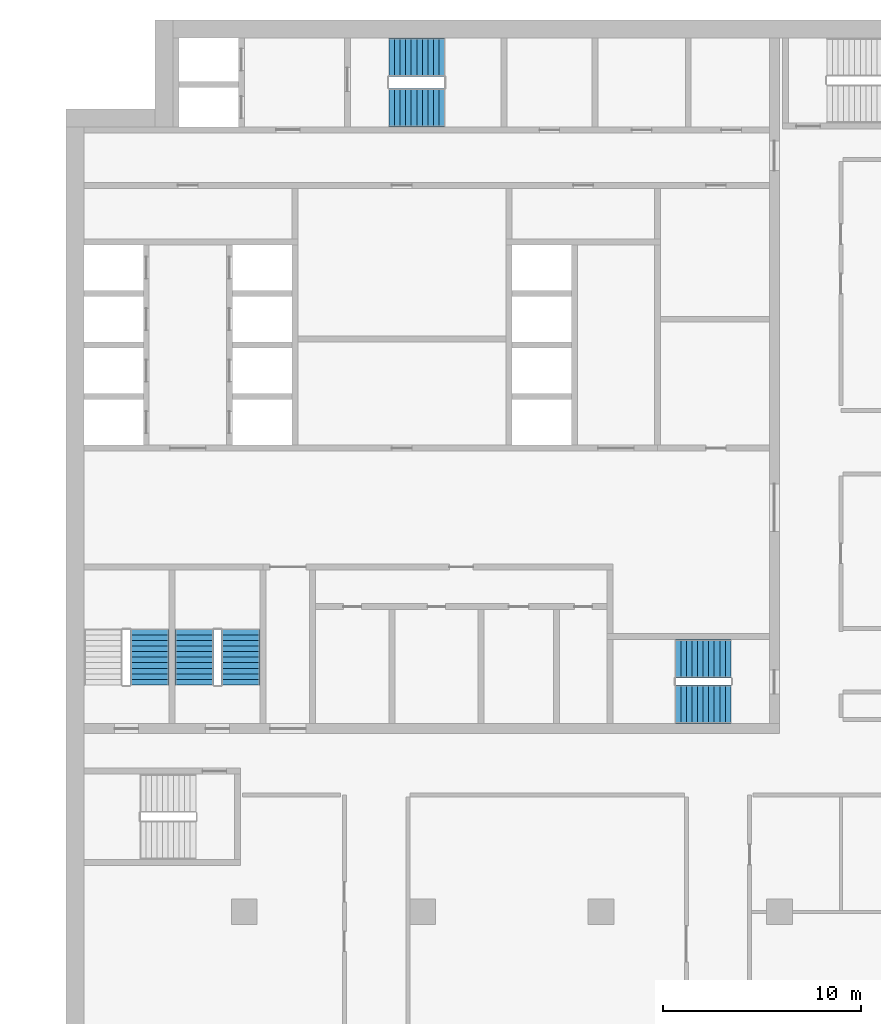
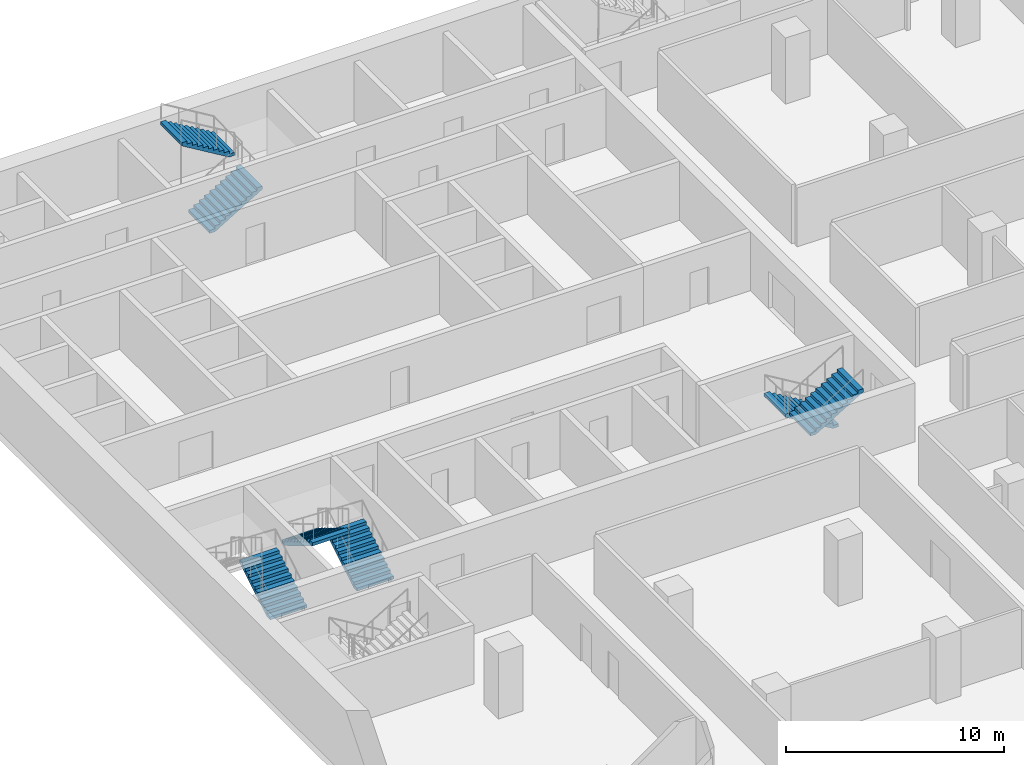
# One storey, part 17 of 23: 7 stair flights, 4 elements without a shape of their own.
"""IFC4 building model written with IfcOpenShell, lengths in metres."""

from ifc_helpers import new_model, si_unit, direction, frame, origin, place, context, subcontext, project, spatial, polyline, outline, extrude, material, type_object, element, aggregate, save


model = new_model("IFC4")

# Units and contexts
model_context = context("Model", 3, precision=1e-05, world=origin(), true_north=direction((0.0, 1.0)))
body_context = subcontext(model_context, "Body", "Model", "MODEL_VIEW")
ifc_project = project(units=[si_unit("LENGTHUNIT", "METRE"), si_unit("AREAUNIT", "SQUARE_METRE"), si_unit("VOLUMEUNIT", "CUBIC_METRE"), si_unit("PLANEANGLEUNIT", "RADIAN"), si_unit("MASSUNIT", "GRAM", prefix="KILO")], contexts=[model_context])

# Site, building, storey
site_placement = place(None, origin())
site = spatial("IfcSite", under=ifc_project, at=site_placement, CompositionType="ELEMENT")
building_placement = place(site_placement, origin())
building = spatial("IfcBuilding", under=site, at=building_placement, Name="Hunhe Ridgeline Campus", CompositionType="ELEMENT")
storey_placement = place(building_placement, frame((0.0, 0.0, 110.699951171875)))
storey = spatial("IfcBuildingStorey", under=building, at=storey_placement, Name="L27", CompositionType="ELEMENT", Elevation=110.699951171875)

# Stair, stair flights
ifc_material = material(Name="Concrete C40", Category="concrete")
stair_type = type_object("IfcStairType", Name="Reinforced concrete dog-leg stair 1950 Concrete C40", PredefinedType="HALF_TURN_STAIR", material=ifc_material)
stair_1_placement = place(storey_placement, origin())
stair_1 = element("IfcStair", 1, at=stair_1_placement, inside=storey, type_object=stair_type, Name="L27 S1", PredefinedType="HALF_TURN_STAIR")
stair_flight_type = type_object("IfcStairFlightType", Name="Reinforced concrete stair flight 1950 Concrete C40", PredefinedType="STRAIGHT", material=ifc_material)
stair_flight_1_placement = place(storey_placement, frame((16.300048828125, 94.574951171875, 0.0), z_axis=(0.0, 0.0, 1.0), x_axis=(1.0, 0.0, 0.0)))
stair_flight_1 = element("IfcStairFlight", 2, at=stair_flight_1_placement, type_object=stair_flight_type, Name="ST1 flight 1", NumberOfRisers=11, NumberOfTreads=10, PredefinedType="STRAIGHT", RiserHeight=0.168181818, TreadLength=0.28, context=body_context, shape_type="SweptSolid", body=[
    extrude(outline(polyline([(0.0, 0.0), (0.0, 0.168212890625), (0.280029296875, 0.168212890625), (0.280029296875, 0.33642578125), (0.56005859375, 0.33642578125), (0.56005859375, 0.504638671875), (0.840087890625, 0.504638671875), (0.840087890625, 0.672607421875), (1.1201171875, 0.672607421875), (1.1201171875, 0.8408203125), (1.39990234375, 0.8408203125), (1.39990234375, 1.009033203125), (1.679931640625, 1.009033203125), (1.679931640625, 1.17724609375), (1.9599609375, 1.17724609375), (1.9599609375, 1.345458984375), (2.239990234375, 1.345458984375), (2.239990234375, 1.513671875), (2.52001953125, 1.513671875), (2.52001953125, 1.681884765625), (2.800048828125, 1.681884765625), (2.800048828125, 1.85009765625), (2.800048828125, 1.5068359375), (0.291015625, 0.0), (0.0, 0.0)])), frame((0.0, 0.97509765625, 0.0), z_axis=(0.0, -1.0, 0.0), x_axis=(1.0, 0.0, 0.0)), (0.0, 0.0, 1.0), 1.949951171875),
    extrude(outline(polyline([(0.030029296875, 0.030029296875), (0.030029296875, 0.13818359375), (0.31005859375, 0.13818359375), (0.31005859375, 0.306396484375), (0.590087890625, 0.306396484375), (0.590087890625, 0.474609375), (0.8701171875, 0.474609375), (0.8701171875, 0.642578125), (1.14990234375, 0.642578125), (1.14990234375, 0.810791015625), (1.429931640625, 0.810791015625), (1.429931640625, 0.97900390625), (1.7099609375, 0.97900390625), (1.7099609375, 1.147216796875), (1.989990234375, 1.147216796875), (1.989990234375, 1.3154296875), (2.27001953125, 1.3154296875), (2.27001953125, 1.483642578125), (2.550048828125, 1.483642578125), (2.550048828125, 1.65185546875), (2.77001953125, 1.65185546875), (2.77001953125, 1.52392578125), (0.28271484375, 0.030029296875), (0.030029296875, 0.030029296875)])), frame((0.0, -0.070068359375, 0.0), z_axis=(0.0, -1.0, 0.0), x_axis=(1.0, 0.0, 0.0)), (0.0, 0.0, 1.0), 0.019775390625),
    extrude(outline(polyline([(0.030029296875, 0.030029296875), (0.030029296875, 0.13818359375), (0.31005859375, 0.13818359375), (0.31005859375, 0.306396484375), (0.590087890625, 0.306396484375), (0.590087890625, 0.474609375), (0.8701171875, 0.474609375), (0.8701171875, 0.642578125), (1.14990234375, 0.642578125), (1.14990234375, 0.810791015625), (1.429931640625, 0.810791015625), (1.429931640625, 0.97900390625), (1.7099609375, 0.97900390625), (1.7099609375, 1.147216796875), (1.989990234375, 1.147216796875), (1.989990234375, 1.3154296875), (2.27001953125, 1.3154296875), (2.27001953125, 1.483642578125), (2.550048828125, 1.483642578125), (2.550048828125, 1.65185546875), (2.77001953125, 1.65185546875), (2.77001953125, 1.52392578125), (0.28271484375, 0.030029296875), (0.030029296875, 0.030029296875)])), frame((0.0, 0.010009765625, 0.0), z_axis=(0.0, -1.0, 0.0), x_axis=(1.0, 0.0, 0.0)), (0.0, 0.0, 1.0), 0.019775390625),
    extrude(outline(polyline([(0.030029296875, 0.030029296875), (0.030029296875, 0.13818359375), (0.31005859375, 0.13818359375), (0.31005859375, 0.306396484375), (0.590087890625, 0.306396484375), (0.590087890625, 0.474609375), (0.8701171875, 0.474609375), (0.8701171875, 0.642578125), (1.14990234375, 0.642578125), (1.14990234375, 0.810791015625), (1.429931640625, 0.810791015625), (1.429931640625, 0.97900390625), (1.7099609375, 0.97900390625), (1.7099609375, 1.147216796875), (1.989990234375, 1.147216796875), (1.989990234375, 1.3154296875), (2.27001953125, 1.3154296875), (2.27001953125, 1.483642578125), (2.550048828125, 1.483642578125), (2.550048828125, 1.65185546875), (2.77001953125, 1.65185546875), (2.77001953125, 1.52392578125), (0.28271484375, 0.030029296875), (0.030029296875, 0.030029296875)])), frame((0.0, 0.090087890625, 0.0), z_axis=(0.0, -1.0, 0.0), x_axis=(1.0, 0.0, 0.0)), (0.0, 0.0, 1.0), 0.019775390625),
])
stair_flight_2_placement = place(storey_placement, frame((19.10009765625, 97.125, 1.85009765625), z_axis=(0.0, 0.0, 1.0), x_axis=(-1.0, 0.0, 0.0)))
stair_flight_2 = element("IfcStairFlight", 3, at=stair_flight_2_placement, type_object=stair_flight_type, Name="ST1 flight 2", NumberOfRisers=11, NumberOfTreads=10, PredefinedType="STRAIGHT", RiserHeight=0.168181818, TreadLength=0.28, context=body_context, shape_type="SweptSolid", body=[
    extrude(outline(polyline([(0.0, 0.0), (0.0, 0.168212890625), (0.280029296875, 0.168212890625), (0.280029296875, 0.33642578125), (0.56005859375, 0.33642578125), (0.56005859375, 0.504638671875), (0.840087890625, 0.504638671875), (0.840087890625, 0.672607421875), (1.1201171875, 0.672607421875), (1.1201171875, 0.8408203125), (1.39990234375, 0.8408203125), (1.39990234375, 1.009033203125), (1.679931640625, 1.009033203125), (1.679931640625, 1.17724609375), (1.9599609375, 1.17724609375), (1.9599609375, 1.345458984375), (2.239990234375, 1.345458984375), (2.239990234375, 1.513671875), (2.52001953125, 1.513671875), (2.52001953125, 1.681884765625), (2.800048828125, 1.681884765625), (2.800048828125, 1.85009765625), (2.800048828125, 1.5068359375), (0.291015625, 0.0), (0.0, 0.0)])), frame((0.0, 0.97509765625, 0.0), z_axis=(0.0, -1.0, 0.0), x_axis=(1.0, 0.0, 0.0)), (0.0, 0.0, 1.0), 1.949951171875),
    extrude(outline(polyline([(0.030029296875, 0.030029296875), (0.030029296875, 0.13818359375), (0.31005859375, 0.13818359375), (0.31005859375, 0.306396484375), (0.590087890625, 0.306396484375), (0.590087890625, 0.474609375), (0.8701171875, 0.474609375), (0.8701171875, 0.642578125), (1.14990234375, 0.642578125), (1.14990234375, 0.810791015625), (1.429931640625, 0.810791015625), (1.429931640625, 0.97900390625), (1.7099609375, 0.97900390625), (1.7099609375, 1.147216796875), (1.989990234375, 1.147216796875), (1.989990234375, 1.3154296875), (2.27001953125, 1.3154296875), (2.27001953125, 1.483642578125), (2.550048828125, 1.483642578125), (2.550048828125, 1.65185546875), (2.77001953125, 1.65185546875), (2.77001953125, 1.52392578125), (0.28271484375, 0.030029296875), (0.030029296875, 0.030029296875)])), frame((0.0, -0.070068359375, 0.0), z_axis=(0.0, -1.0, 0.0), x_axis=(1.0, 0.0, 0.0)), (0.0, 0.0, 1.0), 0.019775390625),
    extrude(outline(polyline([(0.030029296875, 0.030029296875), (0.030029296875, 0.13818359375), (0.31005859375, 0.13818359375), (0.31005859375, 0.306396484375), (0.590087890625, 0.306396484375), (0.590087890625, 0.474609375), (0.8701171875, 0.474609375), (0.8701171875, 0.642578125), (1.14990234375, 0.642578125), (1.14990234375, 0.810791015625), (1.429931640625, 0.810791015625), (1.429931640625, 0.97900390625), (1.7099609375, 0.97900390625), (1.7099609375, 1.147216796875), (1.989990234375, 1.147216796875), (1.989990234375, 1.3154296875), (2.27001953125, 1.3154296875), (2.27001953125, 1.483642578125), (2.550048828125, 1.483642578125), (2.550048828125, 1.65185546875), (2.77001953125, 1.65185546875), (2.77001953125, 1.52392578125), (0.28271484375, 0.030029296875), (0.030029296875, 0.030029296875)])), frame((0.0, 0.010009765625, 0.0), z_axis=(0.0, -1.0, 0.0), x_axis=(1.0, 0.0, 0.0)), (0.0, 0.0, 1.0), 0.019775390625),
    extrude(outline(polyline([(0.030029296875, 0.030029296875), (0.030029296875, 0.13818359375), (0.31005859375, 0.13818359375), (0.31005859375, 0.306396484375), (0.590087890625, 0.306396484375), (0.590087890625, 0.474609375), (0.8701171875, 0.474609375), (0.8701171875, 0.642578125), (1.14990234375, 0.642578125), (1.14990234375, 0.810791015625), (1.429931640625, 0.810791015625), (1.429931640625, 0.97900390625), (1.7099609375, 0.97900390625), (1.7099609375, 1.147216796875), (1.989990234375, 1.147216796875), (1.989990234375, 1.3154296875), (2.27001953125, 1.3154296875), (2.27001953125, 1.483642578125), (2.550048828125, 1.483642578125), (2.550048828125, 1.65185546875), (2.77001953125, 1.65185546875), (2.77001953125, 1.52392578125), (0.28271484375, 0.030029296875), (0.030029296875, 0.030029296875)])), frame((0.0, 0.090087890625, 0.0), z_axis=(0.0, -1.0, 0.0), x_axis=(1.0, 0.0, 0.0)), (0.0, 0.0, 1.0), 0.019775390625),
])
aggregate(stair_1, [stair_flight_1, stair_flight_2])

stair_2_placement = place(storey_placement, origin())
stair_2 = element("IfcStair", 4, at=stair_2_placement, inside=storey, type_object=stair_type, Name="L27 S2", PredefinedType="HALF_TURN_STAIR")
stair_flight_3_placement = place(storey_placement, frame((33.550048828125, 66.77490234375, 0.0), z_axis=(0.0, 0.0, 1.0), x_axis=(-1.0, 0.0, 0.0)))
stair_flight_3 = element("IfcStairFlight", 5, at=stair_flight_3_placement, type_object=stair_flight_type, Name="ST2 flight 1", NumberOfRisers=11, NumberOfTreads=10, PredefinedType="STRAIGHT", RiserHeight=0.168181818, TreadLength=0.28, context=body_context, shape_type="SweptSolid", body=[
    extrude(outline(polyline([(0.0, 0.0), (0.0, 0.168212890625), (0.280029296875, 0.168212890625), (0.280029296875, 0.33642578125), (0.56005859375, 0.33642578125), (0.56005859375, 0.504638671875), (0.840087890625, 0.504638671875), (0.840087890625, 0.672607421875), (1.1201171875, 0.672607421875), (1.1201171875, 0.8408203125), (1.39990234375, 0.8408203125), (1.39990234375, 1.009033203125), (1.679931640625, 1.009033203125), (1.679931640625, 1.17724609375), (1.9599609375, 1.17724609375), (1.9599609375, 1.345458984375), (2.239990234375, 1.345458984375), (2.239990234375, 1.513671875), (2.52001953125, 1.513671875), (2.52001953125, 1.681884765625), (2.800048828125, 1.681884765625), (2.800048828125, 1.85009765625), (2.800048828125, 1.5068359375), (0.291015625, 0.0), (0.0, 0.0)])), frame((0.0, 0.97509765625, 0.0), z_axis=(0.0, -1.0, 0.0), x_axis=(1.0, 0.0, 0.0)), (0.0, 0.0, 1.0), 1.949951171875),
    extrude(outline(polyline([(0.030029296875, 0.030029296875), (0.030029296875, 0.13818359375), (0.31005859375, 0.13818359375), (0.31005859375, 0.306396484375), (0.590087890625, 0.306396484375), (0.590087890625, 0.474609375), (0.8701171875, 0.474609375), (0.8701171875, 0.642578125), (1.14990234375, 0.642578125), (1.14990234375, 0.810791015625), (1.429931640625, 0.810791015625), (1.429931640625, 0.97900390625), (1.7099609375, 0.97900390625), (1.7099609375, 1.147216796875), (1.989990234375, 1.147216796875), (1.989990234375, 1.3154296875), (2.27001953125, 1.3154296875), (2.27001953125, 1.483642578125), (2.550048828125, 1.483642578125), (2.550048828125, 1.65185546875), (2.77001953125, 1.65185546875), (2.77001953125, 1.52392578125), (0.28271484375, 0.030029296875), (0.030029296875, 0.030029296875)])), frame((0.0, -0.070068359375, 0.0), z_axis=(0.0, -1.0, 0.0), x_axis=(1.0, 0.0, 0.0)), (0.0, 0.0, 1.0), 0.019775390625),
    extrude(outline(polyline([(0.030029296875, 0.030029296875), (0.030029296875, 0.13818359375), (0.31005859375, 0.13818359375), (0.31005859375, 0.306396484375), (0.590087890625, 0.306396484375), (0.590087890625, 0.474609375), (0.8701171875, 0.474609375), (0.8701171875, 0.642578125), (1.14990234375, 0.642578125), (1.14990234375, 0.810791015625), (1.429931640625, 0.810791015625), (1.429931640625, 0.97900390625), (1.7099609375, 0.97900390625), (1.7099609375, 1.147216796875), (1.989990234375, 1.147216796875), (1.989990234375, 1.3154296875), (2.27001953125, 1.3154296875), (2.27001953125, 1.483642578125), (2.550048828125, 1.483642578125), (2.550048828125, 1.65185546875), (2.77001953125, 1.65185546875), (2.77001953125, 1.52392578125), (0.28271484375, 0.030029296875), (0.030029296875, 0.030029296875)])), frame((0.0, 0.010009765625, 0.0), z_axis=(0.0, -1.0, 0.0), x_axis=(1.0, 0.0, 0.0)), (0.0, 0.0, 1.0), 0.019775390625),
    extrude(outline(polyline([(0.030029296875, 0.030029296875), (0.030029296875, 0.13818359375), (0.31005859375, 0.13818359375), (0.31005859375, 0.306396484375), (0.590087890625, 0.306396484375), (0.590087890625, 0.474609375), (0.8701171875, 0.474609375), (0.8701171875, 0.642578125), (1.14990234375, 0.642578125), (1.14990234375, 0.810791015625), (1.429931640625, 0.810791015625), (1.429931640625, 0.97900390625), (1.7099609375, 0.97900390625), (1.7099609375, 1.147216796875), (1.989990234375, 1.147216796875), (1.989990234375, 1.3154296875), (2.27001953125, 1.3154296875), (2.27001953125, 1.483642578125), (2.550048828125, 1.483642578125), (2.550048828125, 1.65185546875), (2.77001953125, 1.65185546875), (2.77001953125, 1.52392578125), (0.28271484375, 0.030029296875), (0.030029296875, 0.030029296875)])), frame((0.0, 0.090087890625, 0.0), z_axis=(0.0, -1.0, 0.0), x_axis=(1.0, 0.0, 0.0)), (0.0, 0.0, 1.0), 0.019775390625),
])
stair_flight_4_placement = place(storey_placement, frame((30.75, 64.47509765625, 1.85009765625), z_axis=(0.0, 0.0, 1.0), x_axis=(1.0, 0.0, 0.0)))
stair_flight_4 = element("IfcStairFlight", 6, at=stair_flight_4_placement, type_object=stair_flight_type, Name="ST2 flight 2", NumberOfRisers=11, NumberOfTreads=10, PredefinedType="STRAIGHT", RiserHeight=0.168181818, TreadLength=0.28, context=body_context, shape_type="SweptSolid", body=[
    extrude(outline(polyline([(0.0, 0.0), (0.0, 0.168212890625), (0.280029296875, 0.168212890625), (0.280029296875, 0.33642578125), (0.56005859375, 0.33642578125), (0.56005859375, 0.504638671875), (0.840087890625, 0.504638671875), (0.840087890625, 0.672607421875), (1.1201171875, 0.672607421875), (1.1201171875, 0.8408203125), (1.39990234375, 0.8408203125), (1.39990234375, 1.009033203125), (1.679931640625, 1.009033203125), (1.679931640625, 1.17724609375), (1.9599609375, 1.17724609375), (1.9599609375, 1.345458984375), (2.239990234375, 1.345458984375), (2.239990234375, 1.513671875), (2.52001953125, 1.513671875), (2.52001953125, 1.681884765625), (2.800048828125, 1.681884765625), (2.800048828125, 1.85009765625), (2.800048828125, 1.5068359375), (0.291015625, 0.0), (0.0, 0.0)])), frame((0.0, 0.97509765625, 0.0), z_axis=(0.0, -1.0, 0.0), x_axis=(1.0, 0.0, 0.0)), (0.0, 0.0, 1.0), 1.949951171875),
    extrude(outline(polyline([(0.030029296875, 0.030029296875), (0.030029296875, 0.13818359375), (0.31005859375, 0.13818359375), (0.31005859375, 0.306396484375), (0.590087890625, 0.306396484375), (0.590087890625, 0.474609375), (0.8701171875, 0.474609375), (0.8701171875, 0.642578125), (1.14990234375, 0.642578125), (1.14990234375, 0.810791015625), (1.429931640625, 0.810791015625), (1.429931640625, 0.97900390625), (1.7099609375, 0.97900390625), (1.7099609375, 1.147216796875), (1.989990234375, 1.147216796875), (1.989990234375, 1.3154296875), (2.27001953125, 1.3154296875), (2.27001953125, 1.483642578125), (2.550048828125, 1.483642578125), (2.550048828125, 1.65185546875), (2.77001953125, 1.65185546875), (2.77001953125, 1.52392578125), (0.28271484375, 0.030029296875), (0.030029296875, 0.030029296875)])), frame((0.0, -0.070068359375, 0.0), z_axis=(0.0, -1.0, 0.0), x_axis=(1.0, 0.0, 0.0)), (0.0, 0.0, 1.0), 0.019775390625),
    extrude(outline(polyline([(0.030029296875, 0.030029296875), (0.030029296875, 0.13818359375), (0.31005859375, 0.13818359375), (0.31005859375, 0.306396484375), (0.590087890625, 0.306396484375), (0.590087890625, 0.474609375), (0.8701171875, 0.474609375), (0.8701171875, 0.642578125), (1.14990234375, 0.642578125), (1.14990234375, 0.810791015625), (1.429931640625, 0.810791015625), (1.429931640625, 0.97900390625), (1.7099609375, 0.97900390625), (1.7099609375, 1.147216796875), (1.989990234375, 1.147216796875), (1.989990234375, 1.3154296875), (2.27001953125, 1.3154296875), (2.27001953125, 1.483642578125), (2.550048828125, 1.483642578125), (2.550048828125, 1.65185546875), (2.77001953125, 1.65185546875), (2.77001953125, 1.52392578125), (0.28271484375, 0.030029296875), (0.030029296875, 0.030029296875)])), frame((0.0, 0.010009765625, 0.0), z_axis=(0.0, -1.0, 0.0), x_axis=(1.0, 0.0, 0.0)), (0.0, 0.0, 1.0), 0.019775390625),
    extrude(outline(polyline([(0.030029296875, 0.030029296875), (0.030029296875, 0.13818359375), (0.31005859375, 0.13818359375), (0.31005859375, 0.306396484375), (0.590087890625, 0.306396484375), (0.590087890625, 0.474609375), (0.8701171875, 0.474609375), (0.8701171875, 0.642578125), (1.14990234375, 0.642578125), (1.14990234375, 0.810791015625), (1.429931640625, 0.810791015625), (1.429931640625, 0.97900390625), (1.7099609375, 0.97900390625), (1.7099609375, 1.147216796875), (1.989990234375, 1.147216796875), (1.989990234375, 1.3154296875), (2.27001953125, 1.3154296875), (2.27001953125, 1.483642578125), (2.550048828125, 1.483642578125), (2.550048828125, 1.65185546875), (2.77001953125, 1.65185546875), (2.77001953125, 1.52392578125), (0.28271484375, 0.030029296875), (0.030029296875, 0.030029296875)])), frame((0.0, 0.090087890625, 0.0), z_axis=(0.0, -1.0, 0.0), x_axis=(1.0, 0.0, 0.0)), (0.0, 0.0, 1.0), 0.019775390625),
])
aggregate(stair_2, [stair_flight_3, stair_flight_4])

# Stair, stair flight
stair_3_placement = place(storey_placement, origin())
stair_3 = element("IfcStair", 7, at=stair_3_placement, inside=storey, type_object=stair_type, Name="L27 S3", PredefinedType="HALF_TURN_STAIR")
stair_flight_5_placement = place(storey_placement, frame((4.22509765625, 65.449951171875, 0.0), z_axis=(0.0, 0.0, 1.0), x_axis=(0.0, 1.0, 0.0)))
stair_flight_5 = element("IfcStairFlight", 8, at=stair_flight_5_placement, type_object=stair_flight_type, Name="ST3 flight 1", NumberOfRisers=11, NumberOfTreads=10, PredefinedType="STRAIGHT", RiserHeight=0.168181818, TreadLength=0.28, context=body_context, shape_type="SweptSolid", body=[
    extrude(outline(polyline([(0.0, 0.0), (0.0, 0.168212890625), (0.280029296875, 0.168212890625), (0.280029296875, 0.33642578125), (0.56005859375, 0.33642578125), (0.56005859375, 0.504638671875), (0.840087890625, 0.504638671875), (0.840087890625, 0.672607421875), (1.1201171875, 0.672607421875), (1.1201171875, 0.8408203125), (1.39990234375, 0.8408203125), (1.39990234375, 1.009033203125), (1.679931640625, 1.009033203125), (1.679931640625, 1.17724609375), (1.9599609375, 1.17724609375), (1.9599609375, 1.345458984375), (2.239990234375, 1.345458984375), (2.239990234375, 1.513671875), (2.52001953125, 1.513671875), (2.52001953125, 1.681884765625), (2.800048828125, 1.681884765625), (2.800048828125, 1.85009765625), (2.800048828125, 1.5068359375), (0.291015625, 0.0), (0.0, 0.0)])), frame((0.0, 0.97509765625, 0.0), z_axis=(0.0, -1.0, 0.0), x_axis=(1.0, 0.0, 0.0)), (0.0, 0.0, 1.0), 1.949951171875),
    extrude(outline(polyline([(0.030029296875, 0.030029296875), (0.030029296875, 0.13818359375), (0.31005859375, 0.13818359375), (0.31005859375, 0.306396484375), (0.590087890625, 0.306396484375), (0.590087890625, 0.474609375), (0.8701171875, 0.474609375), (0.8701171875, 0.642578125), (1.14990234375, 0.642578125), (1.14990234375, 0.810791015625), (1.429931640625, 0.810791015625), (1.429931640625, 0.97900390625), (1.7099609375, 0.97900390625), (1.7099609375, 1.147216796875), (1.989990234375, 1.147216796875), (1.989990234375, 1.3154296875), (2.27001953125, 1.3154296875), (2.27001953125, 1.483642578125), (2.550048828125, 1.483642578125), (2.550048828125, 1.65185546875), (2.77001953125, 1.65185546875), (2.77001953125, 1.52392578125), (0.28271484375, 0.030029296875), (0.030029296875, 0.030029296875)])), frame((0.0, -0.070068359375, 0.0), z_axis=(0.0, -1.0, 0.0), x_axis=(1.0, 0.0, 0.0)), (0.0, 0.0, 1.0), 0.019775390625),
    extrude(outline(polyline([(0.030029296875, 0.030029296875), (0.030029296875, 0.13818359375), (0.31005859375, 0.13818359375), (0.31005859375, 0.306396484375), (0.590087890625, 0.306396484375), (0.590087890625, 0.474609375), (0.8701171875, 0.474609375), (0.8701171875, 0.642578125), (1.14990234375, 0.642578125), (1.14990234375, 0.810791015625), (1.429931640625, 0.810791015625), (1.429931640625, 0.97900390625), (1.7099609375, 0.97900390625), (1.7099609375, 1.147216796875), (1.989990234375, 1.147216796875), (1.989990234375, 1.3154296875), (2.27001953125, 1.3154296875), (2.27001953125, 1.483642578125), (2.550048828125, 1.483642578125), (2.550048828125, 1.65185546875), (2.77001953125, 1.65185546875), (2.77001953125, 1.52392578125), (0.28271484375, 0.030029296875), (0.030029296875, 0.030029296875)])), frame((0.0, 0.010009765625, 0.0), z_axis=(0.0, -1.0, 0.0), x_axis=(1.0, 0.0, 0.0)), (0.0, 0.0, 1.0), 0.019775390625),
    extrude(outline(polyline([(0.030029296875, 0.030029296875), (0.030029296875, 0.13818359375), (0.31005859375, 0.13818359375), (0.31005859375, 0.306396484375), (0.590087890625, 0.306396484375), (0.590087890625, 0.474609375), (0.8701171875, 0.474609375), (0.8701171875, 0.642578125), (1.14990234375, 0.642578125), (1.14990234375, 0.810791015625), (1.429931640625, 0.810791015625), (1.429931640625, 0.97900390625), (1.7099609375, 0.97900390625), (1.7099609375, 1.147216796875), (1.989990234375, 1.147216796875), (1.989990234375, 1.3154296875), (2.27001953125, 1.3154296875), (2.27001953125, 1.483642578125), (2.550048828125, 1.483642578125), (2.550048828125, 1.65185546875), (2.77001953125, 1.65185546875), (2.77001953125, 1.52392578125), (0.28271484375, 0.030029296875), (0.030029296875, 0.030029296875)])), frame((0.0, 0.090087890625, 0.0), z_axis=(0.0, -1.0, 0.0), x_axis=(1.0, 0.0, 0.0)), (0.0, 0.0, 1.0), 0.019775390625),
])
aggregate(stair_3, [stair_flight_5])

# Stair, stair flights
stair_4_placement = place(storey_placement, origin())
stair_4 = element("IfcStair", 9, at=stair_4_placement, inside=storey, type_object=stair_type, Name="L27 S4", PredefinedType="HALF_TURN_STAIR")
stair_flight_6_placement = place(storey_placement, frame((8.824951171875, 65.449951171875, 0.0), z_axis=(0.0, 0.0, 1.0), x_axis=(0.0, 1.0, 0.0)))
stair_flight_6 = element("IfcStairFlight", 10, at=stair_flight_6_placement, type_object=stair_flight_type, Name="ST4 flight 1", NumberOfRisers=11, NumberOfTreads=10, PredefinedType="STRAIGHT", RiserHeight=0.168181818, TreadLength=0.28, context=body_context, shape_type="SweptSolid", body=[
    extrude(outline(polyline([(0.0, 0.0), (0.0, 0.168212890625), (0.280029296875, 0.168212890625), (0.280029296875, 0.33642578125), (0.56005859375, 0.33642578125), (0.56005859375, 0.504638671875), (0.840087890625, 0.504638671875), (0.840087890625, 0.672607421875), (1.1201171875, 0.672607421875), (1.1201171875, 0.8408203125), (1.39990234375, 0.8408203125), (1.39990234375, 1.009033203125), (1.679931640625, 1.009033203125), (1.679931640625, 1.17724609375), (1.9599609375, 1.17724609375), (1.9599609375, 1.345458984375), (2.239990234375, 1.345458984375), (2.239990234375, 1.513671875), (2.52001953125, 1.513671875), (2.52001953125, 1.681884765625), (2.800048828125, 1.681884765625), (2.800048828125, 1.85009765625), (2.800048828125, 1.5068359375), (0.291015625, 0.0), (0.0, 0.0)])), frame((0.0, 0.97509765625, 0.0), z_axis=(0.0, -1.0, 0.0), x_axis=(1.0, 0.0, 0.0)), (0.0, 0.0, 1.0), 1.949951171875),
    extrude(outline(polyline([(0.030029296875, 0.030029296875), (0.030029296875, 0.13818359375), (0.31005859375, 0.13818359375), (0.31005859375, 0.306396484375), (0.590087890625, 0.306396484375), (0.590087890625, 0.474609375), (0.8701171875, 0.474609375), (0.8701171875, 0.642578125), (1.14990234375, 0.642578125), (1.14990234375, 0.810791015625), (1.429931640625, 0.810791015625), (1.429931640625, 0.97900390625), (1.7099609375, 0.97900390625), (1.7099609375, 1.147216796875), (1.989990234375, 1.147216796875), (1.989990234375, 1.3154296875), (2.27001953125, 1.3154296875), (2.27001953125, 1.483642578125), (2.550048828125, 1.483642578125), (2.550048828125, 1.65185546875), (2.77001953125, 1.65185546875), (2.77001953125, 1.52392578125), (0.28271484375, 0.030029296875), (0.030029296875, 0.030029296875)])), frame((0.0, -0.070068359375, 0.0), z_axis=(0.0, -1.0, 0.0), x_axis=(1.0, 0.0, 0.0)), (0.0, 0.0, 1.0), 0.019775390625),
    extrude(outline(polyline([(0.030029296875, 0.030029296875), (0.030029296875, 0.13818359375), (0.31005859375, 0.13818359375), (0.31005859375, 0.306396484375), (0.590087890625, 0.306396484375), (0.590087890625, 0.474609375), (0.8701171875, 0.474609375), (0.8701171875, 0.642578125), (1.14990234375, 0.642578125), (1.14990234375, 0.810791015625), (1.429931640625, 0.810791015625), (1.429931640625, 0.97900390625), (1.7099609375, 0.97900390625), (1.7099609375, 1.147216796875), (1.989990234375, 1.147216796875), (1.989990234375, 1.3154296875), (2.27001953125, 1.3154296875), (2.27001953125, 1.483642578125), (2.550048828125, 1.483642578125), (2.550048828125, 1.65185546875), (2.77001953125, 1.65185546875), (2.77001953125, 1.52392578125), (0.28271484375, 0.030029296875), (0.030029296875, 0.030029296875)])), frame((0.0, 0.010009765625, 0.0), z_axis=(0.0, -1.0, 0.0), x_axis=(1.0, 0.0, 0.0)), (0.0, 0.0, 1.0), 0.019775390625),
    extrude(outline(polyline([(0.030029296875, 0.030029296875), (0.030029296875, 0.13818359375), (0.31005859375, 0.13818359375), (0.31005859375, 0.306396484375), (0.590087890625, 0.306396484375), (0.590087890625, 0.474609375), (0.8701171875, 0.474609375), (0.8701171875, 0.642578125), (1.14990234375, 0.642578125), (1.14990234375, 0.810791015625), (1.429931640625, 0.810791015625), (1.429931640625, 0.97900390625), (1.7099609375, 0.97900390625), (1.7099609375, 1.147216796875), (1.989990234375, 1.147216796875), (1.989990234375, 1.3154296875), (2.27001953125, 1.3154296875), (2.27001953125, 1.483642578125), (2.550048828125, 1.483642578125), (2.550048828125, 1.65185546875), (2.77001953125, 1.65185546875), (2.77001953125, 1.52392578125), (0.28271484375, 0.030029296875), (0.030029296875, 0.030029296875)])), frame((0.0, 0.090087890625, 0.0), z_axis=(0.0, -1.0, 0.0), x_axis=(1.0, 0.0, 0.0)), (0.0, 0.0, 1.0), 0.019775390625),
])
stair_flight_7_placement = place(storey_placement, frame((6.47509765625, 68.25, 1.85009765625), z_axis=(0.0, 0.0, 1.0), x_axis=(0.0, -1.0, 0.0)))
stair_flight_7 = element("IfcStairFlight", 11, at=stair_flight_7_placement, type_object=stair_flight_type, Name="ST4 flight 2", NumberOfRisers=11, NumberOfTreads=10, PredefinedType="STRAIGHT", RiserHeight=0.168181818, TreadLength=0.28, context=body_context, shape_type="SweptSolid", body=[
    extrude(outline(polyline([(0.0, 0.0), (0.0, 0.168212890625), (0.280029296875, 0.168212890625), (0.280029296875, 0.33642578125), (0.56005859375, 0.33642578125), (0.56005859375, 0.504638671875), (0.840087890625, 0.504638671875), (0.840087890625, 0.672607421875), (1.1201171875, 0.672607421875), (1.1201171875, 0.8408203125), (1.39990234375, 0.8408203125), (1.39990234375, 1.009033203125), (1.679931640625, 1.009033203125), (1.679931640625, 1.17724609375), (1.9599609375, 1.17724609375), (1.9599609375, 1.345458984375), (2.239990234375, 1.345458984375), (2.239990234375, 1.513671875), (2.52001953125, 1.513671875), (2.52001953125, 1.681884765625), (2.800048828125, 1.681884765625), (2.800048828125, 1.85009765625), (2.800048828125, 1.5068359375), (0.291015625, 0.0), (0.0, 0.0)])), frame((0.0, 0.97509765625, 0.0), z_axis=(0.0, -1.0, 0.0), x_axis=(1.0, 0.0, 0.0)), (0.0, 0.0, 1.0), 1.949951171875),
    extrude(outline(polyline([(0.030029296875, 0.030029296875), (0.030029296875, 0.13818359375), (0.31005859375, 0.13818359375), (0.31005859375, 0.306396484375), (0.590087890625, 0.306396484375), (0.590087890625, 0.474609375), (0.8701171875, 0.474609375), (0.8701171875, 0.642578125), (1.14990234375, 0.642578125), (1.14990234375, 0.810791015625), (1.429931640625, 0.810791015625), (1.429931640625, 0.97900390625), (1.7099609375, 0.97900390625), (1.7099609375, 1.147216796875), (1.989990234375, 1.147216796875), (1.989990234375, 1.3154296875), (2.27001953125, 1.3154296875), (2.27001953125, 1.483642578125), (2.550048828125, 1.483642578125), (2.550048828125, 1.65185546875), (2.77001953125, 1.65185546875), (2.77001953125, 1.52392578125), (0.28271484375, 0.030029296875), (0.030029296875, 0.030029296875)])), frame((0.0, -0.070068359375, 0.0), z_axis=(0.0, -1.0, 0.0), x_axis=(1.0, 0.0, 0.0)), (0.0, 0.0, 1.0), 0.019775390625),
    extrude(outline(polyline([(0.030029296875, 0.030029296875), (0.030029296875, 0.13818359375), (0.31005859375, 0.13818359375), (0.31005859375, 0.306396484375), (0.590087890625, 0.306396484375), (0.590087890625, 0.474609375), (0.8701171875, 0.474609375), (0.8701171875, 0.642578125), (1.14990234375, 0.642578125), (1.14990234375, 0.810791015625), (1.429931640625, 0.810791015625), (1.429931640625, 0.97900390625), (1.7099609375, 0.97900390625), (1.7099609375, 1.147216796875), (1.989990234375, 1.147216796875), (1.989990234375, 1.3154296875), (2.27001953125, 1.3154296875), (2.27001953125, 1.483642578125), (2.550048828125, 1.483642578125), (2.550048828125, 1.65185546875), (2.77001953125, 1.65185546875), (2.77001953125, 1.52392578125), (0.28271484375, 0.030029296875), (0.030029296875, 0.030029296875)])), frame((0.0, 0.010009765625, 0.0), z_axis=(0.0, -1.0, 0.0), x_axis=(1.0, 0.0, 0.0)), (0.0, 0.0, 1.0), 0.019775390625),
    extrude(outline(polyline([(0.030029296875, 0.030029296875), (0.030029296875, 0.13818359375), (0.31005859375, 0.13818359375), (0.31005859375, 0.306396484375), (0.590087890625, 0.306396484375), (0.590087890625, 0.474609375), (0.8701171875, 0.474609375), (0.8701171875, 0.642578125), (1.14990234375, 0.642578125), (1.14990234375, 0.810791015625), (1.429931640625, 0.810791015625), (1.429931640625, 0.97900390625), (1.7099609375, 0.97900390625), (1.7099609375, 1.147216796875), (1.989990234375, 1.147216796875), (1.989990234375, 1.3154296875), (2.27001953125, 1.3154296875), (2.27001953125, 1.483642578125), (2.550048828125, 1.483642578125), (2.550048828125, 1.65185546875), (2.77001953125, 1.65185546875), (2.77001953125, 1.52392578125), (0.28271484375, 0.030029296875), (0.030029296875, 0.030029296875)])), frame((0.0, 0.090087890625, 0.0), z_axis=(0.0, -1.0, 0.0), x_axis=(1.0, 0.0, 0.0)), (0.0, 0.0, 1.0), 0.019775390625),
])
aggregate(stair_4, [stair_flight_6, stair_flight_7])

save(model, "model.ifc")
